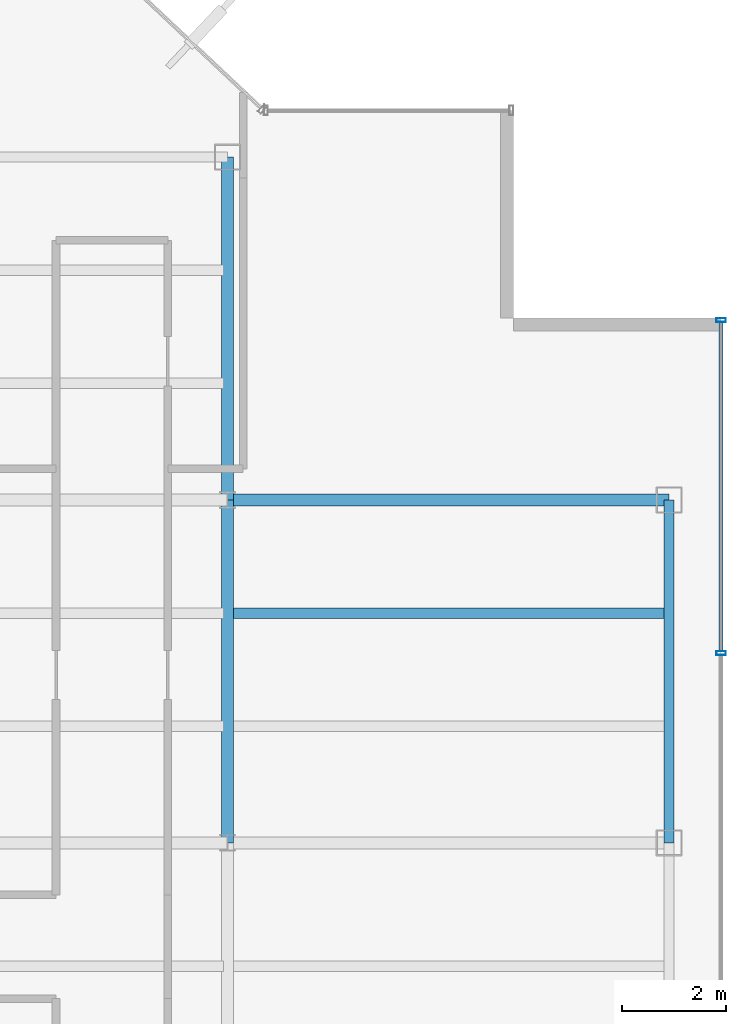
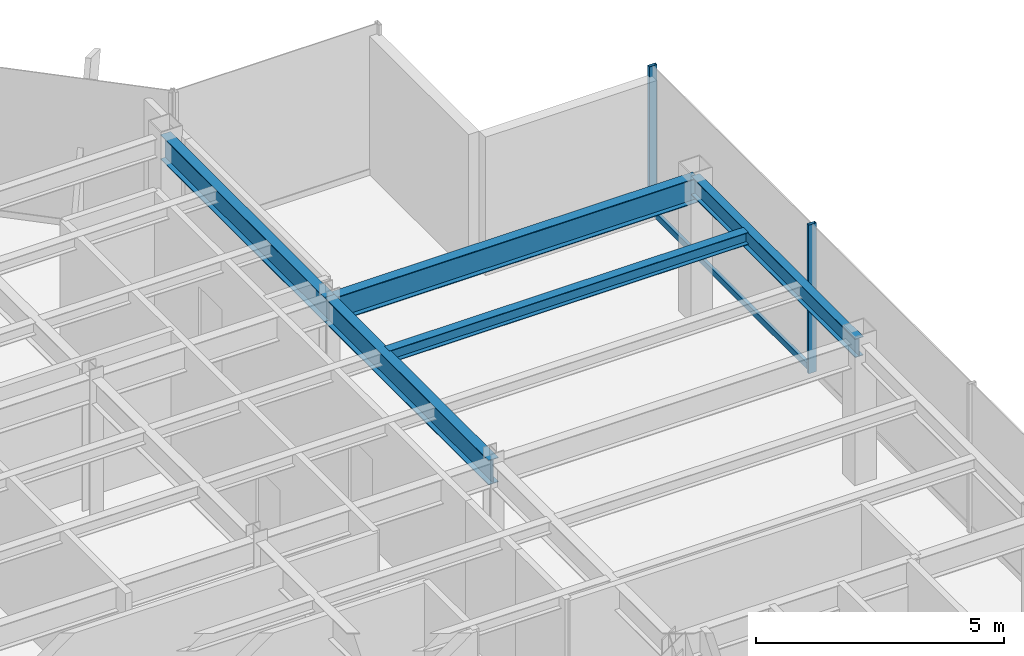
# One storey, part 11 of 22: 5 beams, 3 members, 1 element without a shape of its own.
"""IFC4 building model written with IfcOpenShell, lengths in metres."""

from ifc_helpers import new_model, si_unit, derived_unit, direction, frame, origin, origin_2d, place, context, subcontext, project, spatial, hollow_rectangle, i_section, extrude, source, transform, mapped, material, material_profile, profile_set, type_object, element, aggregate, save


model = new_model("IFC4")

# Units and contexts
model_context = context("Model", 3, precision=1e-05, world=origin(), true_north=direction((0.0, 1.0)))
body_context = subcontext(model_context, "Body", "Model", "MODEL_VIEW")
ifc_project = project(units=[si_unit("LENGTHUNIT", "METRE"), si_unit("AREAUNIT", "SQUARE_METRE"), si_unit("VOLUMEUNIT", "CUBIC_METRE"), si_unit("PLANEANGLEUNIT", "RADIAN"), si_unit("MASSUNIT", "GRAM", prefix="KILO"), derived_unit("THERMALTRANSMITTANCEUNIT", [(si_unit("POWERUNIT", "WATT"), 1), (si_unit("LENGTHUNIT", "METRE"), -2), (si_unit("THERMODYNAMICTEMPERATUREUNIT", "KELVIN"), -1)])], contexts=[model_context])

# Site, building, storey
site_placement = place(None, origin())
site = spatial("IfcSite", under=ifc_project, at=site_placement, CompositionType="ELEMENT")
building_placement = place(site_placement, origin())
building = spatial("IfcBuilding", under=site, at=building_placement, Name="Skarnbrae Concourse Arena and Tower", CompositionType="ELEMENT")
storey_placement = place(building_placement, frame((0.0, 0.0, 240.550048828125)))
storey = spatial("IfcBuildingStorey", under=building, at=storey_placement, Name="L62", CompositionType="ELEMENT", Elevation=240.550048828125)

# Beams
ifc_material_1 = material(Name="Steel CSA G40.21 350W", Category="steel")
ifc_material_profile_1 = material_profile(ifc_material_1, i_section(OverallWidth=0.22802734375, OverallDepth=0.60791015625, WebThickness=0.01123046875, FlangeThickness=0.017333984375, at=origin_2d()), Name="W610X113")
ifc_profile_set_1 = profile_set([ifc_material_profile_1], Name="Steel CSA G40.21 350W")
beam_type_1 = type_object("IfcBeamType", Name="BM-GIRD-W610X113", PredefinedType="BEAM", material=ifc_profile_set_1)
shared_shape_1 = source(origin(), body_context, "Body", "SweptSolid", [
    extrude(i_section(OverallWidth=0.22802734375, OverallDepth=0.60791015625, WebThickness=0.01123046875, FlangeThickness=0.017333984375, at=origin_2d()), origin(), (0.0, 0.0, 1.0), 6.60009765625),
])
beam_1_placement = place(storey_placement, frame((33.5, 21.199951171875, 3.095947265625), z_axis=(0.0, 1.0, 0.0), x_axis=(-1.0, 0.0, 0.0)))
element("IfcBeam", 1, at=beam_1_placement, inside=storey, type_object=beam_type_1, Name="L62 Primary N-S girder X33.5-2", PredefinedType="BEAM", context=body_context, shape_type="MappedRepresentation", body=[
    mapped(shared_shape_1, transform((0.0, 0.0, 0.0))),
])
shared_shape_2 = source(origin(), body_context, "Body", "SweptSolid", [
    extrude(i_section(OverallWidth=0.22802734375, OverallDepth=0.60791015625, WebThickness=0.01123046875, FlangeThickness=0.017333984375, at=origin_2d()), origin(), (0.0, 0.0, 1.0), 8.5),
])
beam_2_placement = place(storey_placement, frame((33.5, 27.800048828125, 3.095947265625), z_axis=(1.0, 0.0, 0.0), x_axis=(0.0, 1.0, 0.0)))
element("IfcBeam", 2, at=beam_2_placement, inside=storey, type_object=beam_type_1, Name="L62 Primary E-W girder Y27.8-6", PredefinedType="BEAM", context=body_context, shape_type="MappedRepresentation", body=[
    mapped(shared_shape_2, transform((0.0, 0.0, 0.0))),
])
ifc_material_profile_2 = material_profile(ifc_material_1, i_section(OverallWidth=0.19091796875, OverallDepth=0.4599609375, WebThickness=0.010009765625, FlangeThickness=0.01611328125, at=origin_2d()), Name="W460X82")
ifc_profile_set_2 = profile_set([ifc_material_profile_2], Name="Steel CSA G40.21 350W")
beam_type_2 = type_object("IfcBeamType", Name="BM-SPAN-W460X82", PredefinedType="SPANDREL", material=ifc_profile_set_2)
shared_shape_3 = source(origin(), body_context, "Body", "SweptSolid", [
    extrude(i_section(OverallWidth=0.19091796875, OverallDepth=0.4599609375, WebThickness=0.010009765625, FlangeThickness=0.01611328125, at=origin_2d()), origin(), (0.0, 0.0, 1.0), 6.60009765625),
])
beam_3_placement = place(storey_placement, frame((42.0, 21.199951171875, 3.169921875), z_axis=(0.0, 1.0, 0.0), x_axis=(-1.0, 0.0, 0.0)))
element("IfcBeam", 3, at=beam_3_placement, inside=storey, type_object=beam_type_2, Name="L62 Perimeter spandrel X42.0-3", PredefinedType="SPANDREL", context=body_context, shape_type="MappedRepresentation", body=[
    mapped(shared_shape_3, transform((0.0, 0.0, 0.0))),
])
shared_shape_4 = source(origin(), body_context, "Body", "SweptSolid", [
    extrude(i_section(OverallWidth=0.22802734375, OverallDepth=0.60791015625, WebThickness=0.01123046875, FlangeThickness=0.017333984375, at=origin_2d()), origin(), (0.0, 0.0, 1.0), 6.599853515625),
])
beam_4_placement = place(storey_placement, frame((33.5, 27.800048828125, 3.095947265625), z_axis=(0.0, 1.0, 0.0), x_axis=(-1.0, 0.0, 0.0)))
element("IfcBeam", 4, at=beam_4_placement, inside=storey, type_object=beam_type_1, Name="L62 Primary N-S girder X33.5-3", PredefinedType="BEAM", context=body_context, shape_type="MappedRepresentation", body=[
    mapped(shared_shape_4, transform((0.0, 0.0, 0.0))),
])
ifc_material_profile_3 = material_profile(ifc_material_1, i_section(OverallWidth=0.202880859375, OverallDepth=0.302978515625, WebThickness=0.007568359375, FlangeThickness=0.01318359375, at=origin_2d()), Name="W310X60")
ifc_profile_set_3 = profile_set([ifc_material_profile_3], Name="Steel CSA G40.21 350W")
beam_type_3 = type_object("IfcBeamType", Name="BM-JOIST-W310X60", PredefinedType="JOIST", material=ifc_profile_set_3)
shared_shape_5 = source(origin(), body_context, "Body", "SweptSolid", [
    extrude(i_section(OverallWidth=0.202880859375, OverallDepth=0.302978515625, WebThickness=0.007568359375, FlangeThickness=0.01318359375, at=origin_2d()), origin(), (0.0, 0.0, 1.0), 8.33984375),
])
beam_5_placement = place(storey_placement, frame((33.580078125, 25.6220703125, 3.24853515625), z_axis=(1.0, 0.0, 0.0), x_axis=(0.0, 1.0, 0.0)))
element("IfcBeam", 5, at=beam_5_placement, inside=storey, type_object=beam_type_3, Name="L62 Secondary floor joist 2.2.6", PredefinedType="JOIST", context=body_context, shape_type="MappedRepresentation", body=[
    mapped(shared_shape_5, transform((0.0, 0.0, 0.0))),
])

# Curtain wall, members
ifc_material_2 = material(Name="Bronze anodised aluminium 6063-T6", Category="aluminium")
curtain_wall_type = type_object("IfcCurtainWallType", Name="CW-SYS-05-HIGHZONE", PredefinedType="USERDEFINED", material=ifc_material_2)
curtain_wall_placement = place(storey_placement, origin())
curtain_wall = element("IfcCurtainWall", 6, at=curtain_wall_placement, inside=storey, type_object=curtain_wall_type, Name="L62 Unitised curtain wall CW-L62-E04", ObjectType="UNITISED CURTAIN WALL", PredefinedType="USERDEFINED")
ifc_material_profile_4 = material_profile(ifc_material_2, hollow_rectangle(XDim=0.074951171875, YDim=0.179931640625, WallThickness=0.00390625, at=origin_2d()), Name="ALU-MULL-75X180")
ifc_profile_set_4 = profile_set([ifc_material_profile_4], Name="Bronze anodised aluminium 6063-T6")
member_type_1 = type_object("IfcMemberType", Name="CWM-CW-05", PredefinedType="MULLION", material=ifc_profile_set_4)
shared_shape_6 = source(origin(), body_context, "Body", "SweptSolid", [
    extrude(hollow_rectangle(XDim=0.074951171875, YDim=0.179931640625, WallThickness=0.00390625, at=origin_2d()), origin(), (0.0, 0.0, 1.0), 3.64990234375),
])
member_1_placement = place(storey_placement, frame((43.0, 24.85009765625, 0.0), z_axis=(0.0, 0.0, 1.0), x_axis=(0.0, 1.0, 0.0)))
member_1 = element("IfcMember", 7, at=member_1_placement, type_object=member_type_1, Name="CW-L62-E04 Mullion 4", PredefinedType="MULLION", context=body_context, shape_type="MappedRepresentation", body=[
    mapped(shared_shape_6, transform((0.0, 0.0, 0.0))),
])
member_2_placement = place(storey_placement, frame((43.0, 31.262451171875, 0.0), z_axis=(0.0, 0.0, 1.0), x_axis=(0.0, 1.0, 0.0)))
member_2 = element("IfcMember", 8, at=member_2_placement, type_object=member_type_1, Name="CW-L62-E04 Mullion 5", PredefinedType="MULLION", context=body_context, shape_type="MappedRepresentation", body=[
    mapped(shared_shape_6, transform((0.0, 0.0, 0.0))),
])
ifc_material_profile_5 = material_profile(ifc_material_2, hollow_rectangle(XDim=0.074951171875, YDim=0.14990234375, WallThickness=0.00390625, at=origin_2d()), Name="ALU-TRAN-75X150")
ifc_profile_set_5 = profile_set([ifc_material_profile_5], Name="Bronze anodised aluminium 6063-T6")
member_type_2 = type_object("IfcMemberType", Name="CWT-CW-05", PredefinedType="USERDEFINED", material=ifc_profile_set_5)
shared_shape_7 = source(origin(), body_context, "Body", "SweptSolid", [
    extrude(hollow_rectangle(XDim=0.074951171875, YDim=0.14990234375, WallThickness=0.00390625, at=origin_2d()), origin(), (0.0, 0.0, 1.0), 6.337646484375),
])
member_3_placement = place(storey_placement, frame((43.0, 24.887451171875, 0.074951171875), z_axis=(0.0, 1.0, 0.0), x_axis=(-1.0, 0.0, 0.0)))
member_3 = element("IfcMember", 9, at=member_3_placement, type_object=member_type_2, Name="CW-L62-E04 Transom 4", ObjectType="TRANSOM", PredefinedType="USERDEFINED", context=body_context, shape_type="MappedRepresentation", body=[
    mapped(shared_shape_7, transform((0.0, 0.0, 0.0))),
])
aggregate(curtain_wall, [member_1, member_2, member_3])

save(model, "model.ifc")
